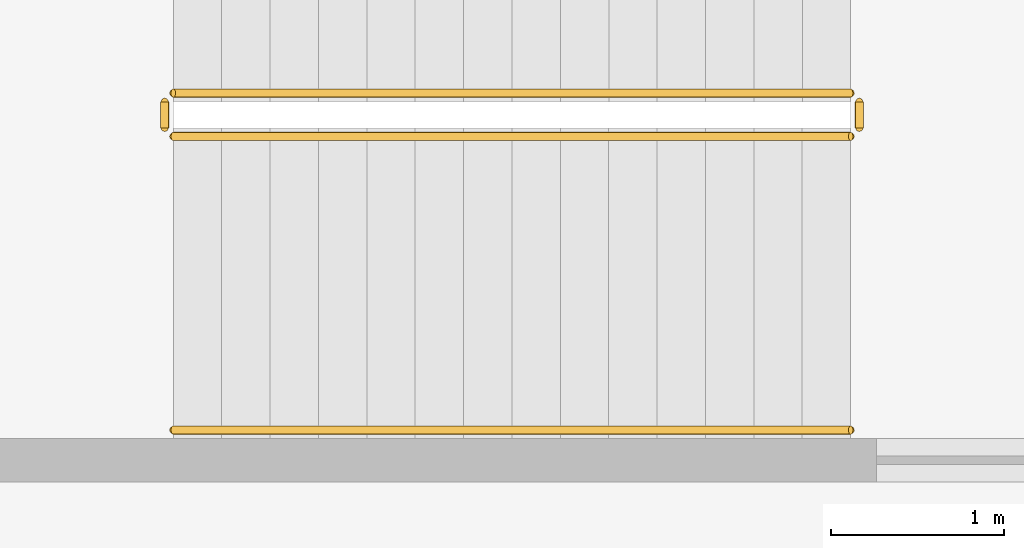
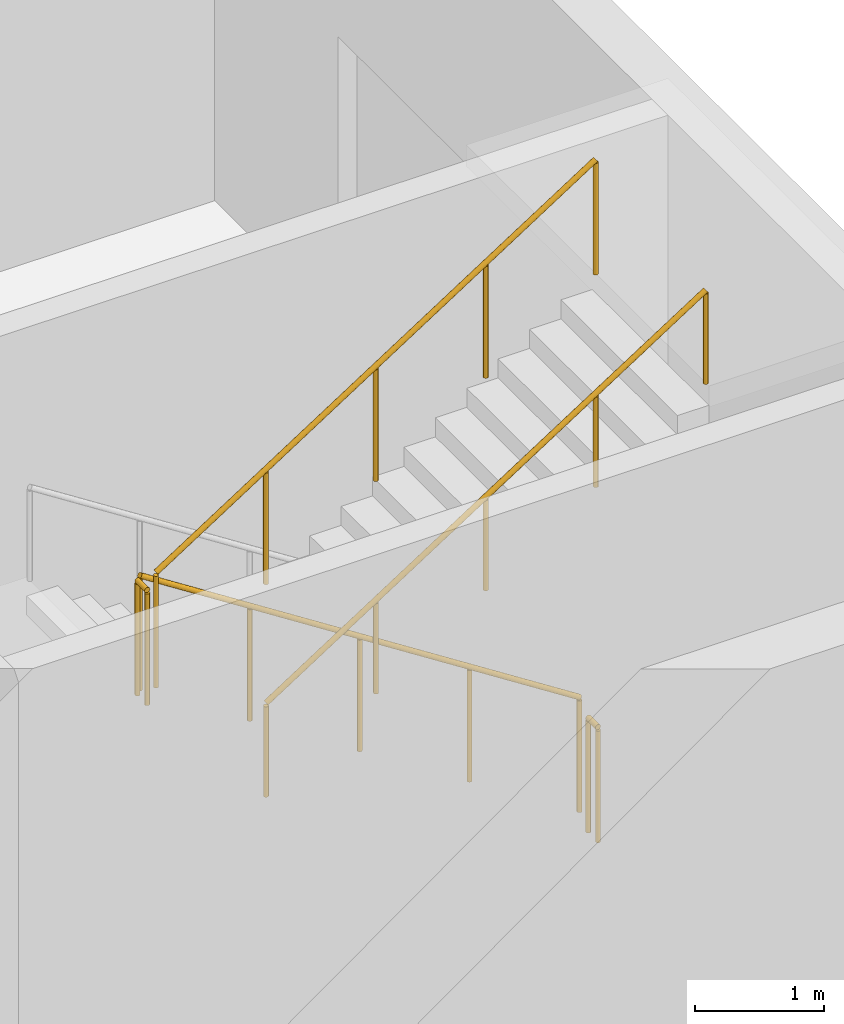
# One storey, part 41 of 43: 5 railings.
"""IFC4 building model written with IfcOpenShell, lengths in metres."""

from ifc_helpers import new_model, si_unit, direction, frame, origin, origin_2d, place, context, subcontext, project, spatial, circle, extrude, material, type_object, element, save


model = new_model("IFC4")

# Units and contexts
model_context = context("Model", 3, precision=1e-05, world=origin(), true_north=direction((0.0, 1.0)))
body_context = subcontext(model_context, "Body", "Model", "MODEL_VIEW")
ifc_project = project(units=[si_unit("LENGTHUNIT", "METRE"), si_unit("AREAUNIT", "SQUARE_METRE"), si_unit("VOLUMEUNIT", "CUBIC_METRE"), si_unit("PLANEANGLEUNIT", "RADIAN"), si_unit("MASSUNIT", "GRAM", prefix="KILO")], contexts=[model_context])

# Site, building, storey
site_placement = place(None, origin())
site = spatial("IfcSite", under=ifc_project, at=site_placement, CompositionType="ELEMENT")
building_placement = place(site_placement, origin())
building = spatial("IfcBuilding", under=site, at=building_placement, Name="Hunhe Ridgeline Campus", CompositionType="ELEMENT")
storey_placement = place(building_placement, frame((0.0, 0.0, 11.39990234375)))
storey = spatial("IfcBuildingStorey", under=building, at=storey_placement, Name="L02", CompositionType="ELEMENT", Elevation=11.39990234375)

# Railings
ifc_material = material(Name="Steel Q235", Category="steel")
railing_type_1 = type_object("IfcRailingType", Name="Hall stair guard 1100", PredefinedType="GUARDRAIL", material=ifc_material)
railing_1_placement = place(storey_placement, frame((207.800048828125, 67.35009765625, 0.18017578125)))
element("IfcRailing", 1, at=railing_1_placement, inside=storey, type_object=railing_type_1, Name="L02 HS4 stair guard 1", PredefinedType="GUARDRAIL", context=body_context, shape_type="SweptSolid", body=[
    extrude(circle(Radius=0.02392578125, at=origin_2d()), frame((0.0, 0.0, 1.076171875), z_axis=(-0.841186985886, 0.0, 0.540744352514), x_axis=(0.0, -1.0, 0.0)), (0.0, 0.0, 1.0), 4.660400390625),
    extrude(circle(Radius=0.02099609375, at=origin_2d()), origin(), (0.0, 0.0, 1.0), 1.052001953125),
    extrude(circle(Radius=0.02099609375, at=origin_2d()), frame((-0.97998046875, 0.0, 0.6298828125)), (0.0, 0.0, 1.0), 1.052001953125),
    extrude(circle(Radius=0.02099609375, at=origin_2d()), frame((-1.9599609375, 0.0, 1.260009765625)), (0.0, 0.0, 1.0), 1.052001953125),
    extrude(circle(Radius=0.02099609375, at=origin_2d()), frame((-2.940185546875, 0.0, 1.89013671875)), (0.0, 0.0, 1.0), 1.052001953125),
    extrude(circle(Radius=0.02099609375, at=origin_2d()), frame((-3.920166015625, 0.0, 2.52001953125)), (0.0, 0.0, 1.0), 1.052001953125),
])
railing_2_placement = place(storey_placement, frame((203.830078125, 67.300048828125, 2.7001953125)))
element("IfcRailing", 2, at=railing_2_placement, inside=storey, type_object=railing_type_1, Name="L02 HS4 stair guard 2", PredefinedType="GUARDRAIL", context=body_context, shape_type="SweptSolid", body=[
    extrude(circle(Radius=0.02392578125, at=origin_2d()), frame((0.0, 0.0, 1.076171875), z_axis=(0.0, -1.0, 0.0), x_axis=(1.0, 0.0, 0.0)), (0.0, 0.0, 1.0), 0.150146484375),
    extrude(circle(Radius=0.02099609375, at=origin_2d()), origin(), (0.0, 0.0, 1.0), 1.052001953125),
    extrude(circle(Radius=0.02099609375, at=origin_2d()), frame((0.0, -0.150146484375, 0.0)), (0.0, 0.0, 1.0), 1.052001953125),
])
railing_3_placement = place(storey_placement, frame((203.8798828125, 67.10009765625, 2.880126953125)))
element("IfcRailing", 3, at=railing_3_placement, inside=storey, type_object=railing_type_1, Name="L02 HS4 stair guard 3", PredefinedType="GUARDRAIL", context=body_context, shape_type="SweptSolid", body=[
    extrude(circle(Radius=0.02392578125, at=origin_2d()), frame((0.0, 0.0, 1.076171875), z_axis=(0.841186985886, 0.0, 0.540744352514), x_axis=(0.0, 1.0, 0.0)), (0.0, 0.0, 1.0), 4.660400390625),
    extrude(circle(Radius=0.02099609375, at=origin_2d()), origin(), (0.0, 0.0, 1.0), 1.052001953125),
    extrude(circle(Radius=0.02099609375, at=origin_2d()), frame((0.97998046875, 0.0, 0.6298828125)), (0.0, 0.0, 1.0), 1.052001953125),
    extrude(circle(Radius=0.02099609375, at=origin_2d()), frame((1.9599609375, 0.0, 1.260009765625)), (0.0, 0.0, 1.0), 1.052001953125),
    extrude(circle(Radius=0.02099609375, at=origin_2d()), frame((2.940185546875, 0.0, 1.89013671875)), (0.0, 0.0, 1.0), 1.052001953125),
    extrude(circle(Radius=0.02099609375, at=origin_2d()), frame((3.920166015625, 0.0, 2.52001953125)), (0.0, 0.0, 1.0), 1.052001953125),
])
railing_4_placement = place(storey_placement, frame((207.85009765625, 67.300048828125, 0.0)))
element("IfcRailing", 4, at=railing_4_placement, inside=storey, type_object=railing_type_1, Name="L02 HS4 stair guard 4", PredefinedType="GUARDRAIL", context=body_context, shape_type="SweptSolid", body=[
    extrude(circle(Radius=0.02392578125, at=origin_2d()), frame((0.0, 0.0, 1.076171875), z_axis=(0.0, -1.0, 0.0), x_axis=(1.0, 0.0, 0.0)), (0.0, 0.0, 1.0), 0.150146484375),
    extrude(circle(Radius=0.02099609375, at=origin_2d()), origin(), (0.0, 0.0, 1.0), 1.052001953125),
    extrude(circle(Radius=0.02099609375, at=origin_2d()), frame((0.0, -0.150146484375, 0.0)), (0.0, 0.0, 1.0), 1.052001953125),
])
railing_type_2 = type_object("IfcRailingType", Name="Hall stair handrail", PredefinedType="HANDRAIL", material=ifc_material)
railing_5_placement = place(storey_placement, frame((203.8798828125, 65.39990234375, 2.880126953125)))
element("IfcRailing", 5, at=railing_5_placement, inside=storey, type_object=railing_type_2, Name="L02 HS4 stair handrail 2", PredefinedType="HANDRAIL", context=body_context, shape_type="SweptSolid", body=[
    extrude(circle(Radius=0.02392578125, at=origin_2d()), frame((0.0, 0.0, 0.8759765625), z_axis=(0.841186985886, 0.0, 0.540744352514), x_axis=(0.0, 1.0, 0.0)), (0.0, 0.0, 1.0), 4.660400390625),
    extrude(circle(Radius=0.02099609375, at=origin_2d()), origin(), (0.0, 0.0, 1.0), 0.851806640625),
    extrude(circle(Radius=0.02099609375, at=origin_2d()), frame((0.97998046875, 0.0, 0.6298828125)), (0.0, 0.0, 1.0), 0.851806640625),
    extrude(circle(Radius=0.02099609375, at=origin_2d()), frame((1.9599609375, 0.0, 1.260009765625)), (0.0, 0.0, 1.0), 0.851806640625),
    extrude(circle(Radius=0.02099609375, at=origin_2d()), frame((2.940185546875, 0.0, 1.89013671875)), (0.0, 0.0, 1.0), 0.851806640625),
    extrude(circle(Radius=0.02099609375, at=origin_2d()), frame((3.920166015625, 0.0, 2.52001953125)), (0.0, 0.0, 1.0), 0.851806640625),
])

save(model, "model.ifc")
